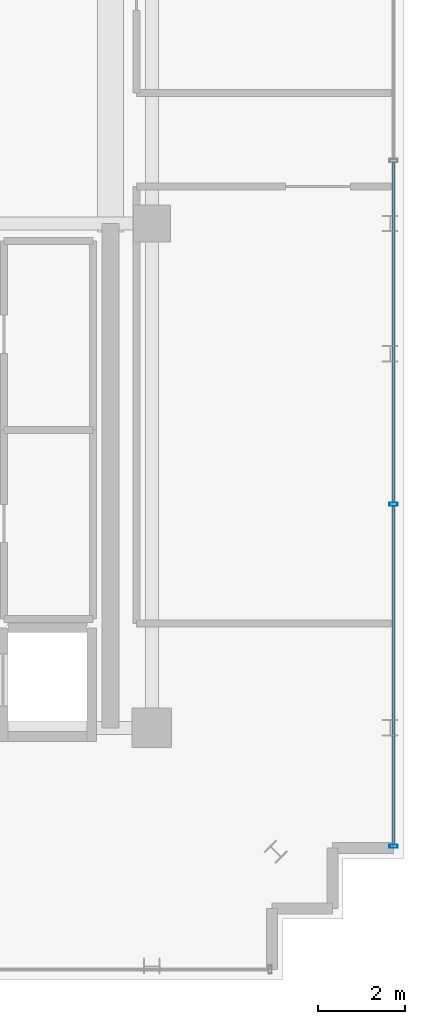
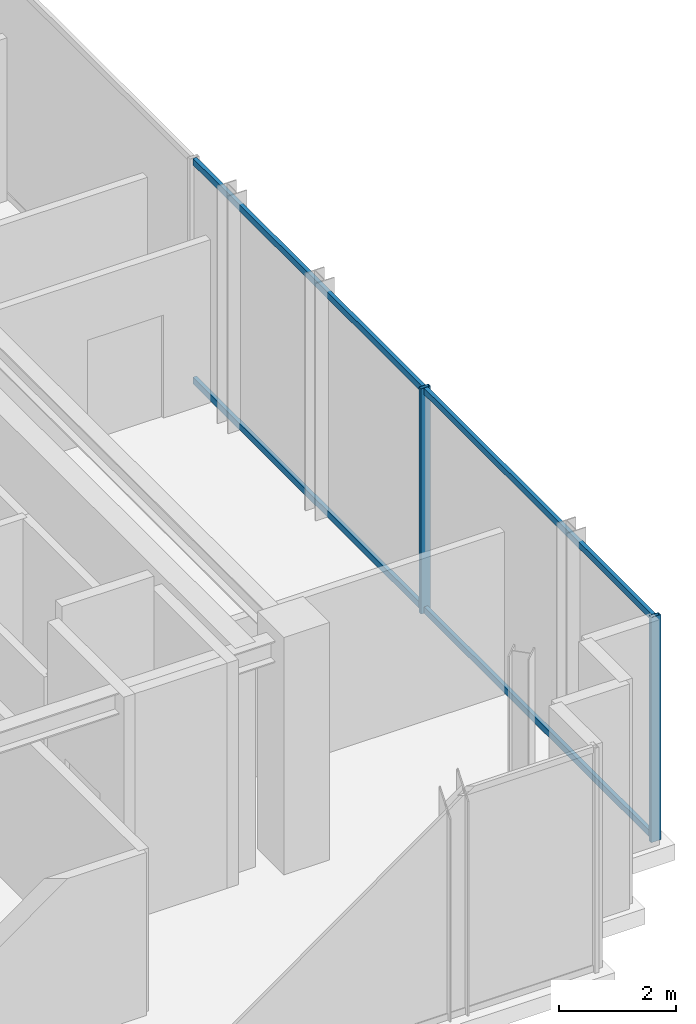
# One storey, part 13 of 28: 6 members, 1 element without a shape of its own.
"""IFC4 building model written with IfcOpenShell, lengths in metres."""

from ifc_helpers import new_model, si_unit, direction, frame, origin, origin_2d, place, context, subcontext, project, spatial, hollow_rectangle, extrude, source, transform, mapped, material, material_profile, profile_set, type_object, element, aggregate, save


model = new_model("IFC4")

# Units and contexts
model_context = context("Model", 3, precision=1e-05, world=origin(), true_north=direction((0.0, 1.0)))
body_context = subcontext(model_context, "Body", "Model", "MODEL_VIEW")
ifc_project = project(units=[si_unit("LENGTHUNIT", "METRE"), si_unit("AREAUNIT", "SQUARE_METRE"), si_unit("VOLUMEUNIT", "CUBIC_METRE"), si_unit("PLANEANGLEUNIT", "RADIAN"), si_unit("MASSUNIT", "GRAM", prefix="KILO")], contexts=[model_context])

# Site, building, storey
site_placement = place(None, origin())
site = spatial("IfcSite", under=ifc_project, at=site_placement, CompositionType="ELEMENT")
building_placement = place(site_placement, origin())
building = spatial("IfcBuilding", under=site, at=building_placement, Name="Nahalor Promenade Grand Hotel", CompositionType="ELEMENT")
storey_placement = place(building_placement, frame((0.0, 0.0, 352.050048828125)))
storey = spatial("IfcBuildingStorey", under=building, at=storey_placement, Name="L90", CompositionType="ELEMENT", Elevation=352.050048828125)

# Curtain wall, members
ifc_material = material(Name="Anodised Bronze Aluminium EN AW-6063 T6", Category="aluminium")
curtain_wall_type = type_object("IfcCurtainWallType", Name="CW6 Crown Botanical Conservatory Curtain Wall", PredefinedType="USERDEFINED", material=ifc_material)
curtain_wall_placement = place(storey_placement, origin())
curtain_wall = element("IfcCurtainWall", 1, at=curtain_wall_placement, inside=storey, type_object=curtain_wall_type, Name="L90 Curtain Wall CW-L90-E-1", ObjectType="UNITISED_CURTAIN_WALL", PredefinedType="USERDEFINED")
ifc_material_profile_1 = material_profile(ifc_material, hollow_rectangle(XDim=0.075, YDim=0.19, WallThickness=0.005, at=origin_2d()), Name="CWM 75x190x5")
ifc_profile_set_1 = profile_set([ifc_material_profile_1], Name="Anodised Bronze Aluminium EN AW-6063 T6")
member_type_1 = type_object("IfcMemberType", Name="CWM6 Conservatory Bronze Mullion 75x190", PredefinedType="MULLION", material=ifc_profile_set_1)
shared_shape_1 = source(origin(), body_context, "Body", "SweptSolid", [
    extrude(hollow_rectangle(XDim=0.075, YDim=0.19, WallThickness=0.005, at=origin_2d()), origin(), (0.0, 0.0, 1.0), 4.699951171875),
])
member_1_placement = place(storey_placement, frame((22.56005859375, -19.722412109375, 0.0), z_axis=(0.0, 0.0, 1.0), x_axis=(0.0, 1.0, 0.0)))
member_1 = element("IfcMember", 2, at=member_1_placement, type_object=member_type_1, Name="CW-L90-E-1 Mullion 0", PredefinedType="MULLION", context=body_context, shape_type="MappedRepresentation", body=[
    mapped(shared_shape_1, transform((0.0, 0.0, 0.0), scale=1.0)),
])
member_2_placement = place(storey_placement, frame((22.56005859375, -11.85595703125, 0.0), z_axis=(0.0, 0.0, 1.0), x_axis=(0.0, 1.0, 0.0)))
member_2 = element("IfcMember", 3, at=member_2_placement, type_object=member_type_1, Name="CW-L90-E-1 Mullion 1", PredefinedType="MULLION", context=body_context, shape_type="MappedRepresentation", body=[
    mapped(shared_shape_1, transform((0.0, 0.0, 0.0), scale=1.0)),
])
ifc_material_profile_2 = material_profile(ifc_material, hollow_rectangle(XDim=0.075, YDim=0.135, WallThickness=0.004, at=origin_2d()), Name="CWT 75x135x4")
ifc_profile_set_2 = profile_set([ifc_material_profile_2], Name="Anodised Bronze Aluminium EN AW-6063 T6")
member_type_2 = type_object("IfcMemberType", Name="CWT6 Conservatory Transom 75x135", PredefinedType="USERDEFINED", material=ifc_profile_set_2)
shared_shape_2 = source(origin(), body_context, "Body", "SweptSolid", [
    extrude(hollow_rectangle(XDim=0.075, YDim=0.135, WallThickness=0.004, at=origin_2d()), origin(), (0.0, 0.0, 1.0), 7.79150390625),
])
member_3_placement = place(storey_placement, frame((22.56005859375, -19.68505859375, 0.0673828125), z_axis=(0.0, 1.0, 0.0), x_axis=(-1.0, 0.0, 0.0)))
member_3 = element("IfcMember", 4, at=member_3_placement, type_object=member_type_2, Name="CW-L90-E-1 Transom 0-0", ObjectType="TRANSOM", PredefinedType="USERDEFINED", context=body_context, shape_type="MappedRepresentation", body=[
    mapped(shared_shape_2, transform((0.0, 0.0, 0.0), scale=1.0)),
])
member_4_placement = place(storey_placement, frame((22.56005859375, -19.68505859375, 4.632568359375), z_axis=(0.0, 1.0, 0.0), x_axis=(-1.0, 0.0, 0.0)))
member_4 = element("IfcMember", 5, at=member_4_placement, type_object=member_type_2, Name="CW-L90-E-1 Transom 0-1", ObjectType="TRANSOM", PredefinedType="USERDEFINED", context=body_context, shape_type="MappedRepresentation", body=[
    mapped(shared_shape_2, transform((0.0, 0.0, 0.0), scale=1.0)),
])
shared_shape_3 = source(origin(), body_context, "Body", "SweptSolid", [
    extrude(hollow_rectangle(XDim=0.075, YDim=0.135, WallThickness=0.004, at=origin_2d()), origin(), (0.0, 0.0, 1.0), 7.8291015625),
])
member_5_placement = place(storey_placement, frame((22.56005859375, -11.818603515625, 0.0673828125), z_axis=(0.0, 1.0, 0.0), x_axis=(-1.0, 0.0, 0.0)))
member_5 = element("IfcMember", 6, at=member_5_placement, type_object=member_type_2, Name="CW-L90-E-1 Transom 1-0", ObjectType="TRANSOM", PredefinedType="USERDEFINED", context=body_context, shape_type="MappedRepresentation", body=[
    mapped(shared_shape_3, transform((0.0, 0.0, 0.0), scale=1.0)),
])
member_6_placement = place(storey_placement, frame((22.56005859375, -11.818603515625, 4.632568359375), z_axis=(0.0, 1.0, 0.0), x_axis=(-1.0, 0.0, 0.0)))
member_6 = element("IfcMember", 7, at=member_6_placement, type_object=member_type_2, Name="CW-L90-E-1 Transom 1-1", ObjectType="TRANSOM", PredefinedType="USERDEFINED", context=body_context, shape_type="MappedRepresentation", body=[
    mapped(shared_shape_3, transform((0.0, 0.0, 0.0), scale=1.0)),
])
aggregate(curtain_wall, [member_1, member_2, member_3, member_4, member_5, member_6])

save(model, "model.ifc")
